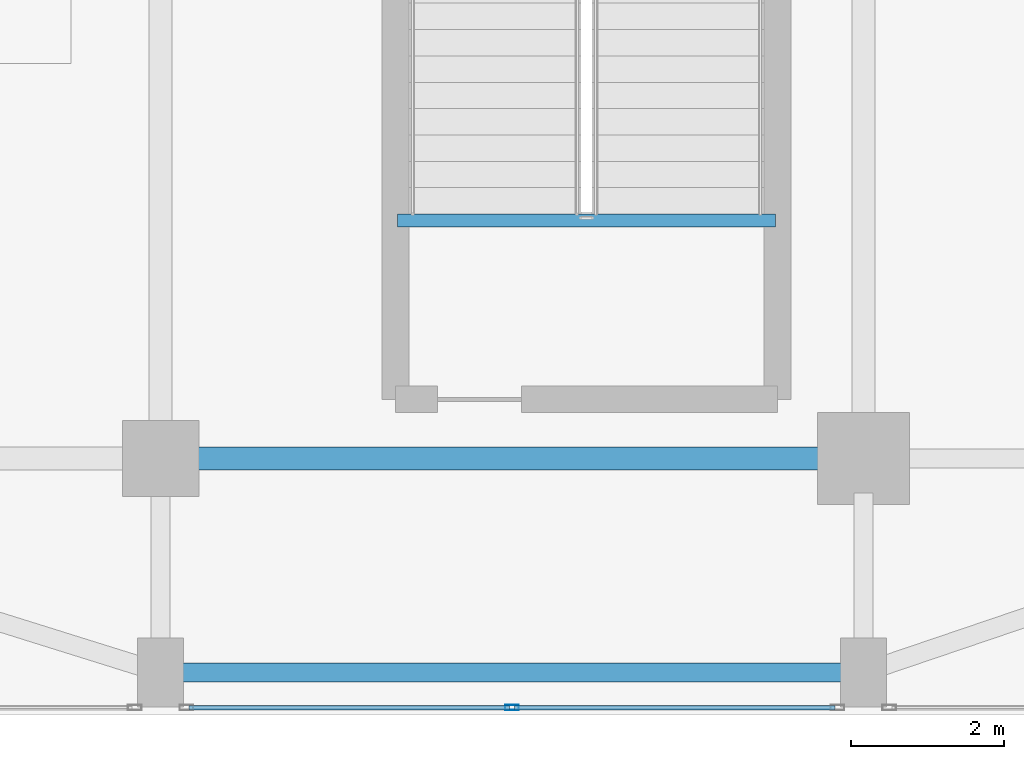
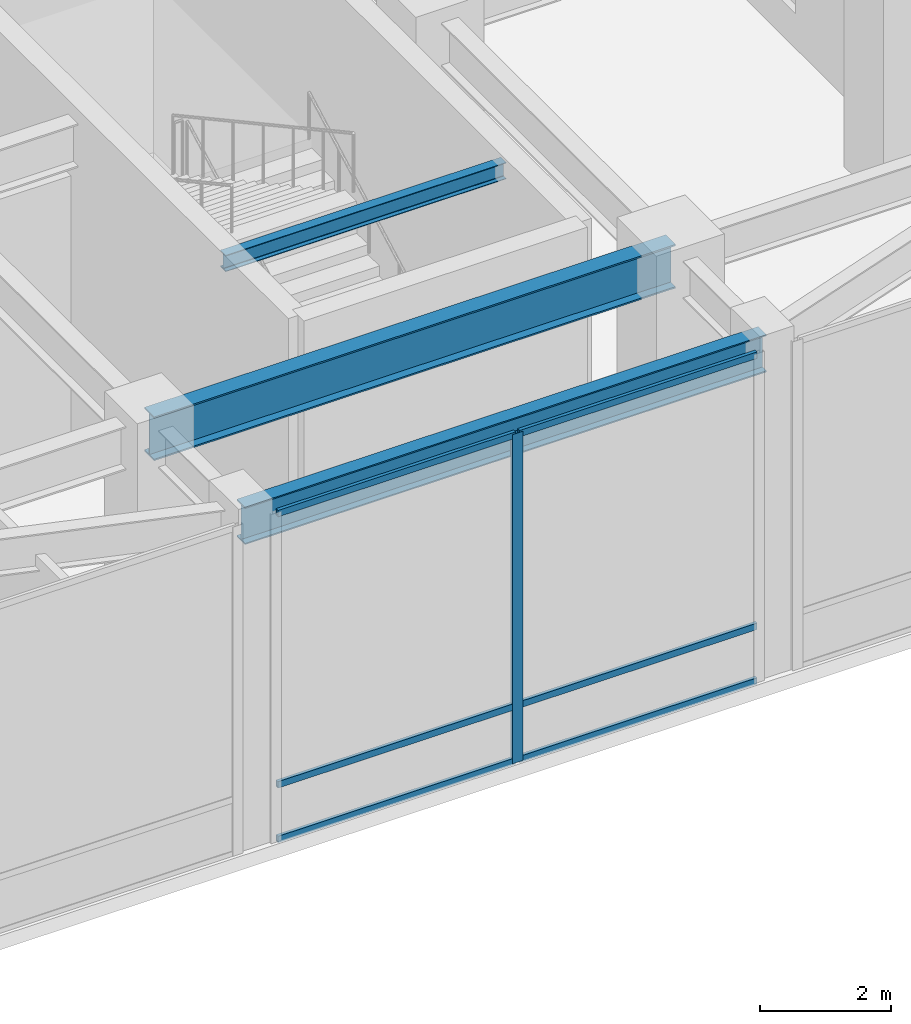
# One storey, part 22 of 50: 7 members, 3 beams, 1 element without a shape of its own.
"""IFC4 building model written with IfcOpenShell, lengths in metres."""

from ifc_helpers import new_model, si_unit, direction, frame, origin, origin_2d, place, context, subcontext, project, spatial, hollow_rectangle, i_section, extrude, source, transform, mapped, material, layer, layer_set, material_profile, profile_set, type_object, type_shapes, element, aggregate, save


model = new_model("IFC4")

# Units and contexts
model_context = context("Model", 3, precision=1e-05, world=origin(), true_north=direction((0.0, 1.0)))
body_context = subcontext(model_context, "Body", "Model", "MODEL_VIEW")
ifc_project = project(units=[si_unit("LENGTHUNIT", "METRE"), si_unit("AREAUNIT", "SQUARE_METRE"), si_unit("VOLUMEUNIT", "CUBIC_METRE"), si_unit("PLANEANGLEUNIT", "RADIAN"), si_unit("MASSUNIT", "GRAM", prefix="KILO")], contexts=[model_context])

# Site, building, storey
site_placement = place(None, origin())
site = spatial("IfcSite", under=ifc_project, at=site_placement, CompositionType="ELEMENT")
building_placement = place(site_placement, origin())
building = spatial("IfcBuilding", under=site, at=building_placement, Name="Tolvann Quenvar Hotel", CompositionType="ELEMENT")
storey_placement = place(building_placement, frame((0.0, 0.0, 16.0)))
storey = spatial("IfcBuildingStorey", under=building, at=storey_placement, Name="L03", CompositionType="ELEMENT", Elevation=16.0)

# Beams
ifc_material_1 = material(Name="Steel Grade 350", Category="steel")
ifc_material_profile_1 = material_profile(ifc_material_1, i_section(OverallWidth=0.300048828125, OverallDepth=0.81591796875, WebThickness=0.010009765625, FlangeThickness=0.028076171875, at=origin_2d()), Name="800WB192")
ifc_profile_set_1 = profile_set([ifc_material_profile_1], Name="Steel Grade 350")
beam_type_1 = type_object("IfcBeamType", Name="BM_GIRD_800WB192", PredefinedType="BEAM", material=ifc_profile_set_1)
shared_shape_1 = source(origin(), body_context, "Body", "SweptSolid", [
    extrude(i_section(OverallWidth=0.300048828125, OverallDepth=0.81591796875, WebThickness=0.010009765625, FlangeThickness=0.028076171875, at=origin_2d()), origin(), (0.0, 0.0, 1.0), 9.199951171875),
])
type_shapes(beam_type_1, [shared_shape_1])
beam_1_placement = place(storey_placement, frame((47.199951171875, 0.85009765625, 5.73193359375), z_axis=(1.0, 0.0, 0.0), x_axis=(0.0, 1.0, 0.0)))
element("IfcBeam", 1, at=beam_1_placement, inside=storey, type_object=beam_type_1, Name="BM-L03-GE2-1", PredefinedType="BEAM", context=body_context, shape_type="MappedRepresentation", body=[
    mapped(shared_shape_1, transform((0.0, 0.0, 0.0), x_axis=(1.0, 0.0, 0.0), y_axis=(0.0, 1.0, 0.0), z_axis=(0.0, 0.0, 1.0), scale=1.0)),
])
ifc_material_profile_2 = material_profile(ifc_material_1, i_section(OverallWidth=0.25, OverallDepth=0.699951171875, WebThickness=0.010009765625, FlangeThickness=0.02392578125, at=origin_2d()), Name="700WB150")
ifc_profile_set_2 = profile_set([ifc_material_profile_2], Name="Steel Grade 350")
beam_type_2 = type_object("IfcBeamType", Name="BM_GIRD_700WB150", PredefinedType="BEAM", material=ifc_profile_set_2)
shared_shape_2 = source(origin(), body_context, "Body", "SweptSolid", [
    extrude(i_section(OverallWidth=0.25, OverallDepth=0.699951171875, WebThickness=0.010009765625, FlangeThickness=0.02392578125, at=origin_2d()), origin(), (0.0, 0.0, 1.0), 9.199951171875),
])
type_shapes(beam_type_2, [shared_shape_2])
beam_2_placement = place(storey_placement, frame((47.199951171875, -1.949951171875, 5.7900390625), z_axis=(1.0, 0.0, 0.0), x_axis=(0.0, 1.0, 0.0)))
element("IfcBeam", 2, at=beam_2_placement, inside=storey, type_object=beam_type_2, Name="BM-L03-EWS-E1", PredefinedType="BEAM", context=body_context, shape_type="MappedRepresentation", body=[
    mapped(shared_shape_2, transform((0.0, 0.0, 0.0), x_axis=(1.0, 0.0, 0.0), y_axis=(0.0, 1.0, 0.0), z_axis=(0.0, 0.0, 1.0), scale=1.0)),
])
ifc_material_profile_3 = material_profile(ifc_material_1, i_section(OverallWidth=0.166015625, OverallDepth=0.306884765625, WebThickness=0.006591796875, FlangeThickness=0.01171875, FilletRadius=0.011474609375, at=origin_2d()), Name="310UB46")
ifc_profile_set_3 = profile_set([ifc_material_profile_3], Name="Steel Grade 350")
beam_type_3 = type_object("IfcBeamType", Name="BM_JOIST_310UB46", PredefinedType="JOIST", material=ifc_profile_set_3)
shared_shape_3 = source(origin(), body_context, "Body", "SweptSolid", [
    extrude(i_section(OverallWidth=0.166015625, OverallDepth=0.306884765625, WebThickness=0.006591796875, FlangeThickness=0.01171875, FilletRadius=0.011474609375, at=origin_2d()), origin(), (0.0, 0.0, 1.0), 4.949951171875),
])
type_shapes(beam_type_3, [shared_shape_3])
beam_3_placement = place(storey_placement, frame((50.300048828125, 3.965087890625, 5.986572265625), z_axis=(1.0, 0.0, 0.0), x_axis=(0.0, 1.0, 0.0)))
element("IfcBeam", 3, at=beam_3_placement, inside=storey, type_object=beam_type_3, Name="BM-HDR-ST-P3-L04", PredefinedType="JOIST", context=body_context, shape_type="MappedRepresentation", body=[
    mapped(shared_shape_3, transform((0.0, 0.0, 0.0), x_axis=(1.0, 0.0, 0.0), y_axis=(0.0, 1.0, 0.0), z_axis=(0.0, 0.0, 1.0), scale=1.0)),
])

# Curtain wall, members
ifc_material_2 = material(Name="Thermally broken anodised architectural aluminium 6063-T6 and laminated low-E glass", Category="aluminium")
ifc_layer = layer(ifc_material_2, 0.179931640625)
ifc_layer_set = layer_set([ifc_layer], Name="Thermally broken anodised architectural aluminium 6063-T6 and laminated low-E glass")
curtain_wall_type = type_object("IfcCurtainWallType", Name="CW_SYS_BALL_02", PredefinedType="USERDEFINED", material=ifc_layer_set)
curtain_wall_placement = place(storey_placement, origin())
curtain_wall = element("IfcCurtainWall", 4, at=curtain_wall_placement, inside=storey, type_object=curtain_wall_type, Name="Curtain Wall CW-BALL-02 (CWR-L03-E04-S2)", ObjectType="UNITISED CURTAIN WALL", PredefinedType="USERDEFINED")
ifc_material_3 = material(Name="Anodised architectural aluminium 6063-T6 framing", Category="aluminium")
ifc_material_profile_4 = material_profile(ifc_material_3, hollow_rectangle(XDim=0.06005859375, YDim=0.1201171875, WallThickness=0.00341796875, at=origin_2d()), Name="120x60x3.5RHS")
ifc_profile_set_4 = profile_set([ifc_material_profile_4], Name="Anodised architectural aluminium 6063-T6 framing")
member_type_1 = type_object("IfcMemberType", Name="CW_TRAN_120x60", PredefinedType="USERDEFINED", material=ifc_profile_set_4)
shared_shape_4 = source(origin(), body_context, "Body", "SweptSolid", [
    extrude(hollow_rectangle(XDim=0.06005859375, YDim=0.1201171875, WallThickness=0.00341796875, at=origin_2d()), origin(), (0.0, 0.0, 1.0), 4.19091796875),
])
type_shapes(member_type_1, [shared_shape_4])
member_1_placement = place(storey_placement, frame((47.573974609375, -2.409912109375, 0.030029296875), z_axis=(1.0, 0.0, 0.0), x_axis=(0.0, 1.0, 0.0)))
member_1 = element("IfcMember", 5, at=member_1_placement, type_object=member_type_1, Name="CW-BALL-02 transom 1.1", ObjectType="TRANSOM", PredefinedType="USERDEFINED", context=body_context, shape_type="MappedRepresentation", body=[
    mapped(shared_shape_4, transform((0.0, 0.0, 0.0), x_axis=(1.0, 0.0, 0.0), y_axis=(0.0, 1.0, 0.0), z_axis=(0.0, 0.0, 1.0), scale=1.0)),
])
member_2_placement = place(storey_placement, frame((47.573974609375, -2.409912109375, 1.050048828125), z_axis=(1.0, 0.0, 0.0), x_axis=(0.0, 1.0, 0.0)))
member_2 = element("IfcMember", 6, at=member_2_placement, type_object=member_type_1, Name="CW-BALL-02 transom 1.2", ObjectType="TRANSOM", PredefinedType="USERDEFINED", context=body_context, shape_type="MappedRepresentation", body=[
    mapped(shared_shape_4, transform((0.0, 0.0, 0.0), x_axis=(1.0, 0.0, 0.0), y_axis=(0.0, 1.0, 0.0), z_axis=(0.0, 0.0, 1.0), scale=1.0)),
])
member_3_placement = place(storey_placement, frame((47.573974609375, -2.409912109375, 6.110107421875), z_axis=(1.0, 0.0, 0.0), x_axis=(0.0, 1.0, 0.0)))
member_3 = element("IfcMember", 7, at=member_3_placement, type_object=member_type_1, Name="CW-BALL-02 transom 1.3", ObjectType="TRANSOM", PredefinedType="USERDEFINED", context=body_context, shape_type="MappedRepresentation", body=[
    mapped(shared_shape_4, transform((0.0, 0.0, 0.0), x_axis=(1.0, 0.0, 0.0), y_axis=(0.0, 1.0, 0.0), z_axis=(0.0, 0.0, 1.0), scale=1.0)),
])
member_4_placement = place(storey_placement, frame((51.8349609375, -2.409912109375, 0.030029296875), z_axis=(1.0, 0.0, 0.0), x_axis=(0.0, 1.0, 0.0)))
member_4 = element("IfcMember", 8, at=member_4_placement, type_object=member_type_1, Name="CW-BALL-02 transom 2.1", ObjectType="TRANSOM", PredefinedType="USERDEFINED", context=body_context, shape_type="MappedRepresentation", body=[
    mapped(shared_shape_4, transform((0.0, 0.0, 0.0), x_axis=(1.0, 0.0, 0.0), y_axis=(0.0, 1.0, 0.0), z_axis=(0.0, 0.0, 1.0), scale=1.0)),
])
member_5_placement = place(storey_placement, frame((51.8349609375, -2.409912109375, 1.050048828125), z_axis=(1.0, 0.0, 0.0), x_axis=(0.0, 1.0, 0.0)))
member_5 = element("IfcMember", 9, at=member_5_placement, type_object=member_type_1, Name="CW-BALL-02 transom 2.2", ObjectType="TRANSOM", PredefinedType="USERDEFINED", context=body_context, shape_type="MappedRepresentation", body=[
    mapped(shared_shape_4, transform((0.0, 0.0, 0.0), x_axis=(1.0, 0.0, 0.0), y_axis=(0.0, 1.0, 0.0), z_axis=(0.0, 0.0, 1.0), scale=1.0)),
])
member_6_placement = place(storey_placement, frame((51.8349609375, -2.409912109375, 6.110107421875), z_axis=(1.0, 0.0, 0.0), x_axis=(0.0, 1.0, 0.0)))
member_6 = element("IfcMember", 10, at=member_6_placement, type_object=member_type_1, Name="CW-BALL-02 transom 2.3", ObjectType="TRANSOM", PredefinedType="USERDEFINED", context=body_context, shape_type="MappedRepresentation", body=[
    mapped(shared_shape_4, transform((0.0, 0.0, 0.0), x_axis=(1.0, 0.0, 0.0), y_axis=(0.0, 1.0, 0.0), z_axis=(0.0, 0.0, 1.0), scale=1.0)),
])
ifc_material_profile_5 = material_profile(ifc_material_3, hollow_rectangle(XDim=0.070068359375, YDim=0.179931640625, WallThickness=0.00390625, at=origin_2d()), Name="180x70x4RHS")
ifc_profile_set_5 = profile_set([ifc_material_profile_5], Name="Anodised architectural aluminium 6063-T6 framing")
member_type_2 = type_object("IfcMemberType", Name="CW_MULL_180x70", PredefinedType="MULLION", material=ifc_profile_set_5)
shared_shape_5 = source(origin(), body_context, "Body", "SweptSolid", [
    extrude(hollow_rectangle(XDim=0.070068359375, YDim=0.179931640625, WallThickness=0.00390625, at=origin_2d()), origin(), (0.0, 0.0, 1.0), 6.139892578125),
])
type_shapes(member_type_2, [shared_shape_5])
member_7_placement = place(storey_placement, frame((51.800048828125, -2.409912109375, 0.0), z_axis=(0.0, 0.0, 1.0), x_axis=(0.0, 1.0, 0.0)))
member_7 = element("IfcMember", 11, at=member_7_placement, type_object=member_type_2, Name="CW-BALL-02 mullion 2", PredefinedType="MULLION", context=body_context, shape_type="MappedRepresentation", body=[
    mapped(shared_shape_5, transform((0.0, 0.0, 0.0), x_axis=(1.0, 0.0, 0.0), y_axis=(0.0, 1.0, 0.0), z_axis=(0.0, 0.0, 1.0), scale=1.0)),
])
aggregate(curtain_wall, [member_7, member_1, member_2, member_3, member_4, member_5, member_6])

save(model, "model.ifc")
